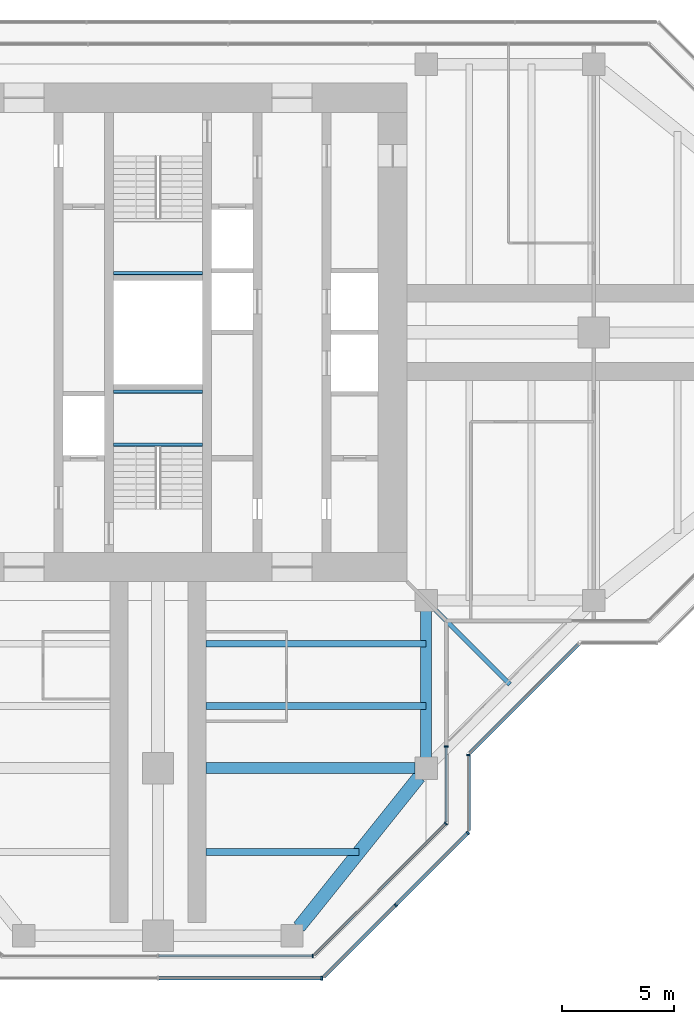
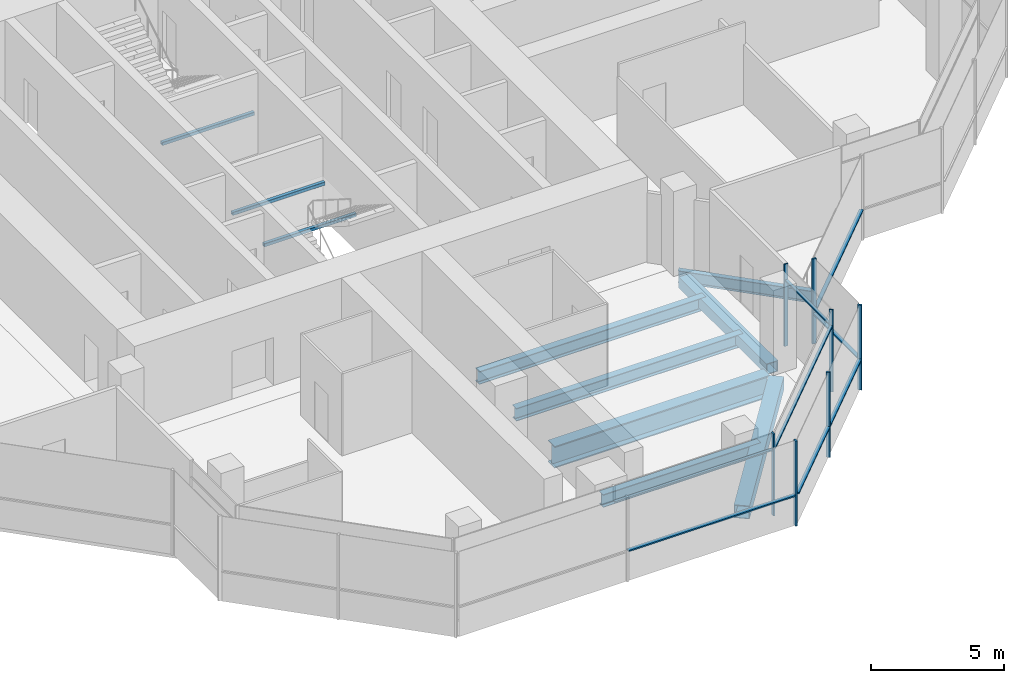
# One storey, part 4 of 15: 15 members, 10 beams, 7 elements without a shape of their own.
"""IFC4 building model written with IfcOpenShell, lengths in metres."""

from ifc_helpers import new_model, si_unit, direction, frame, origin, origin_2d, place, context, subcontext, project, spatial, rectangle, hollow_rectangle, i_section, extrude, material, material_profile, profile_set, type_object, element, aggregate, save


model = new_model("IFC4")

# Units and contexts
model_context = context("Model", 3, precision=1e-05, world=origin(), true_north=direction((0.0, 1.0)))
body_context = subcontext(model_context, "Body", "Model", "MODEL_VIEW")
ifc_project = project(units=[si_unit("LENGTHUNIT", "METRE"), si_unit("AREAUNIT", "SQUARE_METRE"), si_unit("VOLUMEUNIT", "CUBIC_METRE"), si_unit("PLANEANGLEUNIT", "RADIAN"), si_unit("MASSUNIT", "GRAM", prefix="KILO")], contexts=[model_context])

# Site, building, storey
site_placement = place(None, origin())
site = spatial("IfcSite", under=ifc_project, at=site_placement, CompositionType="ELEMENT")
building_placement = place(site_placement, origin())
building = spatial("IfcBuilding", under=site, at=building_placement, Name="Mizan Broadcast Tower", CompositionType="ELEMENT")
storey_placement = place(building_placement, frame((0.0, 0.0, 275.10009765625)))
storey = spatial("IfcBuildingStorey", under=building, at=storey_placement, Name="L65", CompositionType="ELEMENT", Elevation=275.10009765625)

# Beams
ifc_material_1 = material(Name="Steel S355", Category="steel")
ifc_material_profile_1 = material_profile(ifc_material_1, hollow_rectangle(XDim=0.5, YDim=0.5, WallThickness=0.030029296875, at=origin_2d()), Name="BOX 500x500x30")
ifc_profile_set_1 = profile_set([ifc_material_profile_1], Name="Steel S355")
beam_type_1 = type_object("IfcBeamType", Name="EDGE BEAM BOX 500x500x30", PredefinedType="SPANDREL", material=ifc_profile_set_1)
beam_1_placement = place(storey_placement, frame((12.0, -12.449951171875, -0.380126953125), z_axis=(0.0, -1.0, 0.0), x_axis=(1.0, 0.0, 0.0)))
element("IfcBeam", 1, at=beam_1_placement, inside=storey, type_object=beam_type_1, Name="Edge beam BOX 500x500x30 L65 south arm", PredefinedType="SPANDREL", context=body_context, shape_type="SweptSolid", body=[
    extrude(hollow_rectangle(XDim=0.5, YDim=0.5, WallThickness=0.030029296875, at=origin_2d()), origin(), (0.0, 0.0, 1.0), 6.60009765625),
])
ifc_material_2 = material(Name="Steel S355", Category="steel")
ifc_material_profile_2 = material_profile(ifc_material_2, hollow_rectangle(XDim=0.60009765625, YDim=0.60009765625, WallThickness=0.030029296875, at=origin_2d()), Name="BOX 600x600x30")
ifc_profile_set_2 = profile_set([ifc_material_profile_2], Name="Steel S355")
beam_type_2 = type_object("IfcBeamType", Name="EDGE BEAM BOX 600x600x30", PredefinedType="SPANDREL", material=ifc_profile_set_2)
beam_2_placement = place(storey_placement, frame((11.687744140625, -19.890380859375, -0.43017578125), z_axis=(-0.62470196761, -0.780863273348, 0.0), x_axis=(0.780863273348, -0.62470196761, 0.0)))
element("IfcBeam", 2, at=beam_2_placement, inside=storey, type_object=beam_type_2, Name="Edge beam BOX 600x600x30 L65 south arm", PredefinedType="SPANDREL", context=body_context, shape_type="SweptSolid", body=[
    extrude(hollow_rectangle(XDim=0.60009765625, YDim=0.60009765625, WallThickness=0.030029296875, at=origin_2d()), origin(), (0.0, 0.0, 1.0), 8.60498046875),
])
ifc_material_3 = material(Name="Steel S460", Category="steel")
ifc_material_profile_3 = material_profile(ifc_material_3, i_section(OverallWidth=0.5, OverallDepth=1.0, WebThickness=0.02490234375, FlangeThickness=0.050048828125, at=origin_2d()), Name="WPG 1000x500")
ifc_profile_set_3 = profile_set([ifc_material_profile_3], Name="Steel S460")
beam_type_3 = type_object("IfcBeamType", Name="GIRDER WPG 1000x500", PredefinedType="BEAM", material=ifc_profile_set_3)
beam_3_placement = place(storey_placement, frame((11.5, -19.5, -0.630126953125), z_axis=(-1.0, 0.0, 0.0), x_axis=(0.0, -1.0, 0.0)))
element("IfcBeam", 3, at=beam_3_placement, inside=storey, type_object=beam_type_3, Name="Girder WPG 1000x500 L65 south arm", PredefinedType="BEAM", context=body_context, shape_type="SweptSolid", body=[
    extrude(i_section(OverallWidth=0.5, OverallDepth=1.0, WebThickness=0.02490234375, FlangeThickness=0.050048828125, at=origin_2d()), origin(), (0.0, 0.0, 1.0), 9.35009765625),
])

# Curtain wall, member
ifc_material_4 = material(Name="Aluminium framed glazing", Category="aluminium")
curtain_wall_type_1 = type_object("IfcCurtainWallType", Name="INNER SKIN TOP ZONE", PredefinedType="USERDEFINED", material=ifc_material_4)
curtain_wall_1_placement = place(storey_placement, origin())
curtain_wall_1 = element("IfcCurtainWall", 4, at=curtain_wall_1_placement, inside=storey, type_object=curtain_wall_type_1, Name="Inner skin top zone L65 S end", ObjectType="INNER SKIN TOP ZONE", PredefinedType="USERDEFINED")
ifc_material_5 = material(Name="Aluminium, pale anodised", Category="aluminium")
ifc_material_profile_4 = material_profile(ifc_material_5, rectangle(XDim=0.159912109375, YDim=0.06005859375, at=origin_2d()), Name="MULLION 160x60")
ifc_profile_set_4 = profile_set([ifc_material_profile_4], Name="Aluminium, pale anodised")
member_type_1 = type_object("IfcMemberType", Name="INNER SKIN MULLION 60x160", PredefinedType="MULLION", material=ifc_profile_set_4)
member_1_placement = place(storey_placement, frame((6.928466796875, -27.89990234375, 0.0), z_axis=(0.0, 0.0, 1.0), x_axis=(0.0, 1.0, 0.0)))
member_1 = element("IfcMember", 5, at=member_1_placement, type_object=member_type_1, Name="Inner skin top zone L65 S end mullion 3", PredefinedType="MULLION", context=body_context, shape_type="SweptSolid", body=[
    extrude(rectangle(XDim=0.159912109375, YDim=0.06005859375, at=origin_2d()), origin(), (0.0, 0.0, 1.0), 3.77001953125),
])

curtain_wall_2_placement = place(storey_placement, origin())
curtain_wall_2 = element("IfcCurtainWall", 6, at=curtain_wall_2_placement, inside=storey, type_object=curtain_wall_type_1, Name="Inner skin top zone L65 S chamfer", ObjectType="INNER SKIN TOP ZONE", PredefinedType="USERDEFINED")
member_2_placement = place(storey_placement, frame((12.87890625, -21.979736328125, 0.0), z_axis=(0.0, 0.0, 1.0), x_axis=(-0.707106781187, 0.707106781187, 0.0)))
member_2 = element("IfcMember", 7, at=member_2_placement, type_object=member_type_1, Name="Inner skin top zone L65 S chamfer mullion 2", PredefinedType="MULLION", context=body_context, shape_type="SweptSolid", body=[
    extrude(rectangle(XDim=0.159912109375, YDim=0.06005859375, at=origin_2d()), origin(), (0.0, 0.0, 1.0), 3.77001953125),
])

curtain_wall_3_placement = place(storey_placement, origin())
curtain_wall_3 = element("IfcCurtainWall", 8, at=curtain_wall_3_placement, inside=storey, type_object=curtain_wall_type_1, Name="Inner skin top zone L65 S side", ObjectType="INNER SKIN TOP ZONE", PredefinedType="USERDEFINED")
member_3_placement = place(storey_placement, frame((12.89990234375, -18.530029296875, 0.0), z_axis=(0.0, 0.0, 1.0), x_axis=(-1.0, 0.0, 0.0)))
member_3 = element("IfcMember", 9, at=member_3_placement, type_object=member_type_1, Name="Inner skin top zone L65 S side mullion 2", PredefinedType="MULLION", context=body_context, shape_type="SweptSolid", body=[
    extrude(rectangle(XDim=0.159912109375, YDim=0.06005859375, at=origin_2d()), origin(), (0.0, 0.0, 1.0), 3.77001953125),
])

# Member
ifc_material_6 = material(Name="Aluminium, pale anodised", Category="aluminium")
ifc_material_profile_5 = material_profile(ifc_material_6, rectangle(XDim=0.1201171875, YDim=0.06005859375, at=origin_2d()), Name="TRANSOM 120x60")
ifc_profile_set_5 = profile_set([ifc_material_profile_5], Name="Aluminium, pale anodised")
member_type_2 = type_object("IfcMemberType", Name="INNER SKIN TRANSOM 60x120", PredefinedType="USERDEFINED", material=ifc_profile_set_5)
member_4_placement = place(storey_placement, frame((0.030029296875, -27.89990234375, 3.02978515625), z_axis=(1.0, 0.0, 0.0), x_axis=(0.0, 1.0, 0.0)))
member_4 = element("IfcMember", 10, at=member_4_placement, type_object=member_type_2, Name="Inner skin top zone L65 S end transom 2.1", ObjectType="TRANSOM", PredefinedType="USERDEFINED", context=body_context, shape_type="SweptSolid", body=[
    extrude(rectangle(XDim=0.1201171875, YDim=0.06005859375, at=origin_2d()), origin(), (0.0, 0.0, 1.0), 6.86865234375),
])

aggregate(curtain_wall_1, [member_1, member_4])

member_5_placement = place(storey_placement, frame((7.0009765625, -27.857666015625, 3.02978515625), z_axis=(0.707106781187, 0.707106781187, 0.0), x_axis=(-0.707106781187, 0.707106781187, 0.0)))
member_5 = element("IfcMember", 11, at=member_5_placement, type_object=member_type_2, Name="Inner skin top zone L65 S chamfer transom 1.1", ObjectType="TRANSOM", PredefinedType="USERDEFINED", context=body_context, shape_type="SweptSolid", body=[
    extrude(rectangle(XDim=0.1201171875, YDim=0.06005859375, at=origin_2d()), origin(), (0.0, 0.0, 1.0), 8.28271484375),
])

aggregate(curtain_wall_2, [member_2, member_5])

member_6_placement = place(storey_placement, frame((12.89990234375, -21.898681640625, 3.02978515625), z_axis=(0.0, 1.0, 0.0), x_axis=(-1.0, 0.0, 0.0)))
member_6 = element("IfcMember", 12, at=member_6_placement, type_object=member_type_2, Name="Inner skin top zone L65 S side transom 1.1", ObjectType="TRANSOM", PredefinedType="USERDEFINED", context=body_context, shape_type="SweptSolid", body=[
    extrude(rectangle(XDim=0.1201171875, YDim=0.06005859375, at=origin_2d()), origin(), (0.0, 0.0, 1.0), 3.338623046875),
])

aggregate(curtain_wall_3, [member_3, member_6])

# Beams
ifc_material_7 = material(Name="Steel S355", Category="steel")
ifc_material_profile_6 = material_profile(ifc_material_7, hollow_rectangle(XDim=0.14990234375, YDim=0.14990234375, WallThickness=0.008056640625, InnerFilletRadius=0.008056640625, OuterFilletRadius=0.011962890625, at=origin_2d()), Name="SHS 150x150x8")
ifc_profile_set_6 = profile_set([ifc_material_profile_6], Name="Steel S355")
beam_type_4 = type_object("IfcBeamType", Name="LANDING TRIMMER SHS 150x150x8", PredefinedType="BEAM", material=ifc_profile_set_6)
for number, where, z_axis, x_axis, name in (
    (13, (-2.0, -5.02490234375, 1.6748046875), (1.0, 0.0, 0.0), (0.0, 1.0, 0.0), "Stair A landing trimmer L65"),
    (14, (-2.0, -2.64990234375, 1.6748046875), (1.0, 0.0, 0.0), (0.0, 1.0, 0.0), "Stair A landing trimmer L65"),
    (15, (2.0, 2.64990234375, 1.6748046875), (-1.0, 0.0, 0.0), (0.0, -1.0, 0.0), "Stair B landing trimmer L65"),
):
    element("IfcBeam", number, at=place(storey_placement, frame(where, z_axis=z_axis, x_axis=x_axis)), inside=storey, type_object=beam_type_4, Name=name, PredefinedType="BEAM", context=body_context, shape_type="SweptSolid", body=[
        extrude(hollow_rectangle(XDim=0.14990234375, YDim=0.14990234375, WallThickness=0.008056640625, InnerFilletRadius=0.008056640625, OuterFilletRadius=0.011962890625, at=origin_2d()), origin(), (0.0, 0.0, 1.0), 4.0),
    ])

# Curtain wall, member
ifc_material_8 = material(Name="Aluminium framed glazing", Category="aluminium")
curtain_wall_type_2 = type_object("IfcCurtainWallType", Name="OUTER SKIN", PredefinedType="USERDEFINED", material=ifc_material_8)
curtain_wall_4_placement = place(storey_placement, origin())
curtain_wall_4 = element("IfcCurtainWall", 16, at=curtain_wall_4_placement, inside=storey, type_object=curtain_wall_type_2, Name="Outer skin L65 S end", ObjectType="OUTER SKIN", PredefinedType="USERDEFINED")
ifc_material_9 = material(Name="Aluminium, pale anodised", Category="aluminium")
ifc_material_profile_7 = material_profile(ifc_material_9, rectangle(XDim=0.159912109375, YDim=0.080078125, at=origin_2d()), Name="MULLION 160x80")
ifc_profile_set_7 = profile_set([ifc_material_profile_7], Name="Aluminium, pale anodised")
member_type_3 = type_object("IfcMemberType", Name="OUTER SKIN MULLION 80x160", PredefinedType="MULLION", material=ifc_profile_set_7)
member_7_placement = place(storey_placement, frame((7.332763671875, -28.89990234375, 0.0), z_axis=(0.0, 0.0, 1.0), x_axis=(0.0, 1.0, 0.0)))
member_7 = element("IfcMember", 17, at=member_7_placement, type_object=member_type_3, Name="Outer skin L65 S end mullion 3", PredefinedType="MULLION", context=body_context, shape_type="SweptSolid", body=[
    extrude(rectangle(XDim=0.159912109375, YDim=0.080078125, at=origin_2d()), origin(), (0.0, 0.0, 1.0), 3.89990234375),
])

# Curtain wall, members
curtain_wall_5_placement = place(storey_placement, origin())
curtain_wall_5 = element("IfcCurtainWall", 18, at=curtain_wall_5_placement, inside=storey, type_object=curtain_wall_type_2, Name="Outer skin L65 S chamfer", ObjectType="OUTER SKIN", PredefinedType="USERDEFINED")
member_8_placement = place(storey_placement, frame((10.636474609375, -25.636474609375, 0.0), z_axis=(0.0, 0.0, 1.0), x_axis=(-0.707106781187, 0.707106781187, 0.0)))
member_8 = element("IfcMember", 19, at=member_8_placement, type_object=member_type_3, Name="Outer skin L65 S chamfer mullion 2", PredefinedType="MULLION", context=body_context, shape_type="SweptSolid", body=[
    extrude(rectangle(XDim=0.159912109375, YDim=0.080078125, at=origin_2d()), origin(), (0.0, 0.0, 1.0), 3.89990234375),
])
member_9_placement = place(storey_placement, frame((13.871826171875, -22.401123046875, 0.0), z_axis=(0.0, 0.0, 1.0), x_axis=(-0.707106781187, 0.707106781187, 0.0)))
member_9 = element("IfcMember", 20, at=member_9_placement, type_object=member_type_3, Name="Outer skin L65 S chamfer mullion 3", PredefinedType="MULLION", context=body_context, shape_type="SweptSolid", body=[
    extrude(rectangle(XDim=0.159912109375, YDim=0.080078125, at=origin_2d()), origin(), (0.0, 0.0, 1.0), 3.89990234375),
])

# Curtain wall, member
curtain_wall_6_placement = place(storey_placement, origin())
curtain_wall_6 = element("IfcCurtainWall", 21, at=curtain_wall_6_placement, inside=storey, type_object=curtain_wall_type_2, Name="Outer skin L65 S side", ObjectType="OUTER SKIN", PredefinedType="USERDEFINED")
member_10_placement = place(storey_placement, frame((13.89990234375, -18.912841796875, 0.0), z_axis=(0.0, 0.0, 1.0), x_axis=(-1.0, 0.0, 0.0)))
member_10 = element("IfcMember", 22, at=member_10_placement, type_object=member_type_3, Name="Outer skin L65 S side mullion 2", PredefinedType="MULLION", context=body_context, shape_type="SweptSolid", body=[
    extrude(rectangle(XDim=0.159912109375, YDim=0.080078125, at=origin_2d()), origin(), (0.0, 0.0, 1.0), 3.89990234375),
])

# Member
ifc_material_10 = material(Name="Aluminium, pale anodised", Category="aluminium")
ifc_material_profile_8 = material_profile(ifc_material_10, rectangle(XDim=0.159912109375, YDim=0.06005859375, at=origin_2d()), Name="TRANSOM 160x60")
ifc_profile_set_8 = profile_set([ifc_material_profile_8], Name="Aluminium, pale anodised")
member_type_4 = type_object("IfcMemberType", Name="OUTER SKIN TRANSOM 60x160", PredefinedType="USERDEFINED", material=ifc_profile_set_8)
member_11_placement = place(storey_placement, frame((0.0400390625, -28.89990234375, 1.39990234375), z_axis=(1.0, 0.0, 0.0), x_axis=(0.0, 1.0, 0.0)))
member_11 = element("IfcMember", 23, at=member_11_placement, type_object=member_type_4, Name="Outer skin L65 S end transom 2.1", ObjectType="TRANSOM", PredefinedType="USERDEFINED", context=body_context, shape_type="SweptSolid", body=[
    extrude(rectangle(XDim=0.159912109375, YDim=0.06005859375, at=origin_2d()), origin(), (0.0, 0.0, 1.0), 7.252685546875),
])

aggregate(curtain_wall_4, [member_7, member_11])

member_12_placement = place(storey_placement, frame((7.429443359375, -28.843505859375, 1.39990234375), z_axis=(0.707106781187, 0.707106781187, 0.0), x_axis=(-0.707106781187, 0.707106781187, 0.0)))
member_12 = element("IfcMember", 24, at=member_12_placement, type_object=member_type_4, Name="Outer skin L65 S chamfer transom 1.1", ObjectType="TRANSOM", PredefinedType="USERDEFINED", context=body_context, shape_type="SweptSolid", body=[
    extrude(rectangle(XDim=0.159912109375, YDim=0.06005859375, at=origin_2d()), origin(), (0.0, 0.0, 1.0), 4.495361328125),
])

member_13_placement = place(storey_placement, frame((10.664794921875, -25.608154296875, 1.39990234375), z_axis=(0.707106781187, 0.707106781187, 0.0), x_axis=(-0.707106781187, 0.707106781187, 0.0)))
member_13 = element("IfcMember", 25, at=member_13_placement, type_object=member_type_4, Name="Outer skin L65 S chamfer transom 2.1", ObjectType="TRANSOM", PredefinedType="USERDEFINED", context=body_context, shape_type="SweptSolid", body=[
    extrude(rectangle(XDim=0.159912109375, YDim=0.06005859375, at=origin_2d()), origin(), (0.0, 0.0, 1.0), 4.495361328125),
])

aggregate(curtain_wall_5, [member_8, member_9, member_12, member_13])

member_14_placement = place(storey_placement, frame((13.89990234375, -22.292724609375, 1.39990234375), z_axis=(0.0, 1.0, 0.0), x_axis=(-1.0, 0.0, 0.0)))
member_14 = element("IfcMember", 26, at=member_14_placement, type_object=member_type_4, Name="Outer skin L65 S side transom 1.1", ObjectType="TRANSOM", PredefinedType="USERDEFINED", context=body_context, shape_type="SweptSolid", body=[
    extrude(rectangle(XDim=0.159912109375, YDim=0.06005859375, at=origin_2d()), origin(), (0.0, 0.0, 1.0), 3.33984375),
])

aggregate(curtain_wall_6, [member_10, member_14])

# Curtain wall, member
curtain_wall_7_placement = place(storey_placement, origin())
curtain_wall_7 = element("IfcCurtainWall", 27, at=curtain_wall_7_placement, inside=storey, type_object=curtain_wall_type_2, Name="Outer skin L65 E chamfer", ObjectType="OUTER SKIN", PredefinedType="USERDEFINED")
member_15_placement = place(storey_placement, frame((13.95654296875, -18.816162109375, 1.39990234375), z_axis=(0.707106781187, 0.707106781187, 0.0), x_axis=(-0.707106781187, 0.707106781187, 0.0)))
member_15 = element("IfcMember", 28, at=member_15_placement, type_object=member_type_4, Name="Outer skin L65 E chamfer transom 1.1", ObjectType="TRANSOM", PredefinedType="USERDEFINED", context=body_context, shape_type="SweptSolid", body=[
    extrude(rectangle(XDim=0.159912109375, YDim=0.06005859375, at=origin_2d()), origin(), (0.0, 0.0, 1.0), 6.87255859375),
])
aggregate(curtain_wall_7, [member_15])

# Beams
ifc_material_11 = material(Name="Steel S355", Category="steel")
ifc_material_profile_9 = material_profile(ifc_material_11, i_section(OverallWidth=0.300048828125, OverallDepth=0.590087890625, WebThickness=0.012939453125, FlangeThickness=0.02490234375, FilletRadius=0.027099609375, at=origin_2d()), Name="HEA 600")
ifc_profile_set_9 = profile_set([ifc_material_profile_9], Name="Steel S355")
beam_type_5 = type_object("IfcBeamType", Name="SECONDARY BEAM HEA 600", PredefinedType="JOIST", material=ifc_profile_set_9)
for number, where, z_axis, x_axis, name in (
    (29, (12.0, -13.933349609375, -0.425048828125), (-1.0, 0.0, 0.0), (0.0, -1.0, 0.0), "Secondary beam HEA 600 L65 south arm"),
    (30, (12.0, -16.716552734375, -0.425048828125), (-1.0, 0.0, 0.0), (0.0, -1.0, 0.0), "Secondary beam HEA 600 L65 south arm"),
):
    element("IfcBeam", number, at=place(storey_placement, frame(where, z_axis=z_axis, x_axis=x_axis)), inside=storey, type_object=beam_type_5, Name=name, PredefinedType="JOIST", context=body_context, shape_type="SweptSolid", body=[
        extrude(i_section(OverallWidth=0.300048828125, OverallDepth=0.590087890625, WebThickness=0.012939453125, FlangeThickness=0.02490234375, FilletRadius=0.027099609375, at=origin_2d()), origin(), (0.0, 0.0, 1.0), 9.85009765625),
    ])
beam_4_placement = place(storey_placement, frame((9.0, -23.25, -0.425048828125), z_axis=(-1.0, 0.0, 0.0), x_axis=(0.0, -1.0, 0.0)))
element("IfcBeam", 31, at=beam_4_placement, inside=storey, type_object=beam_type_5, Name="Secondary beam HEA 600 L65 south arm", PredefinedType="JOIST", context=body_context, shape_type="SweptSolid", body=[
    extrude(i_section(OverallWidth=0.300048828125, OverallDepth=0.590087890625, WebThickness=0.012939453125, FlangeThickness=0.02490234375, FilletRadius=0.027099609375, at=origin_2d()), origin(), (0.0, 0.0, 1.0), 6.85009765625),
])
ifc_material_12 = material(Name="Steel S355", Category="steel")
ifc_material_profile_10 = material_profile(ifc_material_12, i_section(OverallWidth=0.2099609375, OverallDepth=0.550048828125, WebThickness=0.010986328125, FlangeThickness=0.01708984375, FilletRadius=0.02392578125, at=origin_2d()), Name="IPE 550")
ifc_profile_set_10 = profile_set([ifc_material_profile_10], Name="Steel S355")
beam_type_6 = type_object("IfcBeamType", Name="SECONDARY BEAM IPE 550", PredefinedType="JOIST", material=ifc_profile_set_10)
beam_5_placement = place(storey_placement, frame((12.0, -12.0, -0.405029296875), z_axis=(0.707106781187, -0.707106781187, 0.0), x_axis=(0.707106781187, 0.707106781187, 0.0)))
element("IfcBeam", 32, at=beam_5_placement, inside=storey, type_object=beam_type_6, Name="Winter garden beam L65 S", PredefinedType="JOIST", context=body_context, shape_type="SweptSolid", body=[
    extrude(i_section(OverallWidth=0.2099609375, OverallDepth=0.550048828125, WebThickness=0.010986328125, FlangeThickness=0.01708984375, FilletRadius=0.02392578125, at=origin_2d()), origin(), (0.0, 0.0, 1.0), 5.30322265625),
])

save(model, "model.ifc")
